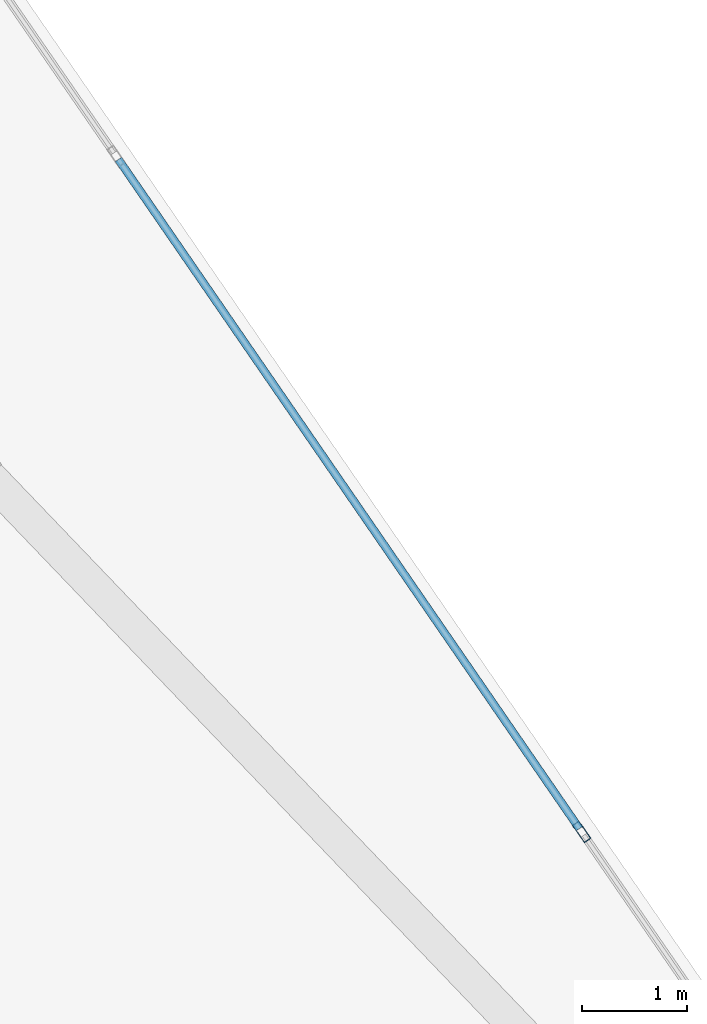
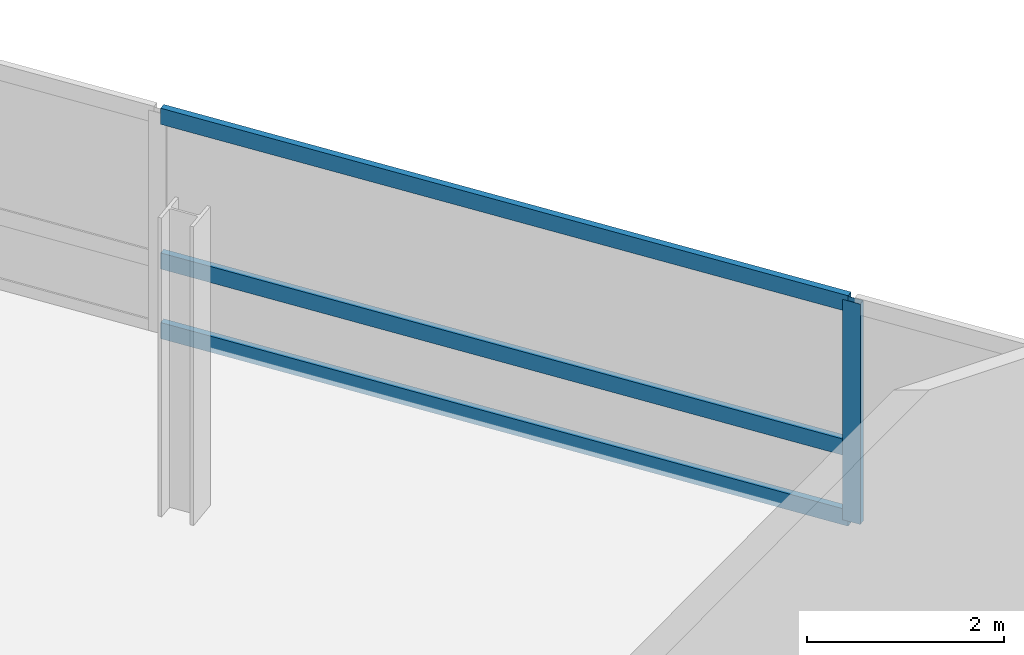
# One storey, part 8 of 22: 4 members, 1 element without a shape of its own.
"""IFC4 building model written with IfcOpenShell, lengths in metres."""

from ifc_helpers import new_model, si_unit, direction, frame, origin, origin_2d, place, context, subcontext, project, spatial, hollow_rectangle, extrude, material, layer, layer_set, material_profile, profile_set, type_object, element, aggregate, save


model = new_model("IFC4")

# Units and contexts
model_context = context("Model", 3, precision=1e-05, world=origin(), true_north=direction((0.0, 1.0)))
body_context = subcontext(model_context, "Body", "Model", "MODEL_VIEW")
ifc_project = project(units=[si_unit("LENGTHUNIT", "METRE"), si_unit("AREAUNIT", "SQUARE_METRE"), si_unit("VOLUMEUNIT", "CUBIC_METRE"), si_unit("PLANEANGLEUNIT", "RADIAN"), si_unit("MASSUNIT", "GRAM", prefix="KILO")], contexts=[model_context])

# Site, building, storey
site_placement = place(None, origin())
site = spatial("IfcSite", under=ifc_project, at=site_placement, CompositionType="ELEMENT")
building_placement = place(site_placement, origin())
building = spatial("IfcBuilding", under=site, at=building_placement, Name="Varnelok Gate Tower", CompositionType="ELEMENT")
storey_placement = place(building_placement, frame((0.0, 0.0, 280.39990234375)))
storey = spatial("IfcBuildingStorey", under=building, at=storey_placement, Name="L72", CompositionType="ELEMENT", Elevation=280.39990234375)

# Curtain wall, members
ifc_material = material(Name="Anodized Aluminum Alloy 6063-T6", Category="aluminium")
ifc_layer = layer(ifc_material, 0.179931640625)
ifc_layer_set = layer_set([ifc_layer], Name="Anodized Aluminum Alloy 6063-T6")
curtain_wall_type = type_object("IfcCurtainWallType", Name="CW4-RESIDENCE-VISION", PredefinedType="USERDEFINED", material=ifc_layer_set)
curtain_wall_placement = place(storey_placement, origin())
curtain_wall = element("IfcCurtainWall", 1, at=curtain_wall_placement, inside=storey, type_object=curtain_wall_type, Name="L72 East End Vision Curtain Wall", ObjectType="UNITISED CURTAIN WALL", PredefinedType="USERDEFINED")
ifc_material_profile_1 = material_profile(ifc_material, hollow_rectangle(XDim=0.074951171875, YDim=0.199951171875, WallThickness=0.00390625, at=origin_2d()), Name="ALU200X75X4")
ifc_profile_set_1 = profile_set([ifc_material_profile_1], Name="Anodized Aluminum Alloy 6063-T6")
member_type_1 = type_object("IfcMemberType", Name="CW-MULL-200", PredefinedType="MULLION", material=ifc_profile_set_1)
member_1_placement = place(storey_placement, frame((66.343505859375, 43.997314453125, 0.0), z_axis=(0.0, 0.0, 1.0), x_axis=(0.823532290241, 0.567269395376, 0.0)))
member_1 = element("IfcMember", 2, at=member_1_placement, type_object=member_type_1, Name="CW4 mullion 3", PredefinedType="MULLION", context=body_context, shape_type="SweptSolid", body=[
    extrude(hollow_rectangle(XDim=0.074951171875, YDim=0.199951171875, WallThickness=0.00390625, at=origin_2d()), origin(), (0.0, 0.0, 1.0), 2.72998046875),
])
ifc_material_profile_2 = material_profile(ifc_material, hollow_rectangle(XDim=0.074951171875, YDim=0.199951171875, WallThickness=0.00390625, at=origin_2d()), Name="ALU200X75X4")
ifc_profile_set_2 = profile_set([ifc_material_profile_2], Name="Anodized Aluminum Alloy 6063-T6")
member_type_2 = type_object("IfcMemberType", Name="CW-TRAN-200", PredefinedType="USERDEFINED", material=ifc_profile_set_2)
member_2_placement = place(storey_placement, frame((61.940185546875, 50.389892578125, 0.03759765625), z_axis=(0.567260941086, -0.823538113701, 0.0), x_axis=(0.823538113701, 0.567260941086, 0.0)))
member_2 = element("IfcMember", 3, at=member_2_placement, type_object=member_type_2, Name="CW4 transom 2.1", ObjectType="TRANSOM", PredefinedType="USERDEFINED", context=body_context, shape_type="SweptSolid", body=[
    extrude(hollow_rectangle(XDim=0.074951171875, YDim=0.199951171875, WallThickness=0.00390625, at=origin_2d()), origin(), (0.0, 0.0, 1.0), 7.72509765625),
])
member_3_placement = place(storey_placement, frame((61.940185546875, 50.389892578125, 0.900146484375), z_axis=(0.567260941086, -0.823538113701, 0.0), x_axis=(0.823538113701, 0.567260941086, 0.0)))
member_3 = element("IfcMember", 4, at=member_3_placement, type_object=member_type_2, Name="CW4 transom 2.2", ObjectType="TRANSOM", PredefinedType="USERDEFINED", context=body_context, shape_type="SweptSolid", body=[
    extrude(hollow_rectangle(XDim=0.074951171875, YDim=0.199951171875, WallThickness=0.00390625, at=origin_2d()), origin(), (0.0, 0.0, 1.0), 7.72509765625),
])
member_4_placement = place(storey_placement, frame((61.940185546875, 50.389892578125, 2.692626953125), z_axis=(0.567260941086, -0.823538113701, 0.0), x_axis=(0.823538113701, 0.567260941086, 0.0)))
member_4 = element("IfcMember", 5, at=member_4_placement, type_object=member_type_2, Name="CW4 transom 2.3", ObjectType="TRANSOM", PredefinedType="USERDEFINED", context=body_context, shape_type="SweptSolid", body=[
    extrude(hollow_rectangle(XDim=0.074951171875, YDim=0.199951171875, WallThickness=0.00390625, at=origin_2d()), origin(), (0.0, 0.0, 1.0), 7.72509765625),
])
aggregate(curtain_wall, [member_1, member_2, member_3, member_4])

save(model, "model.ifc")
